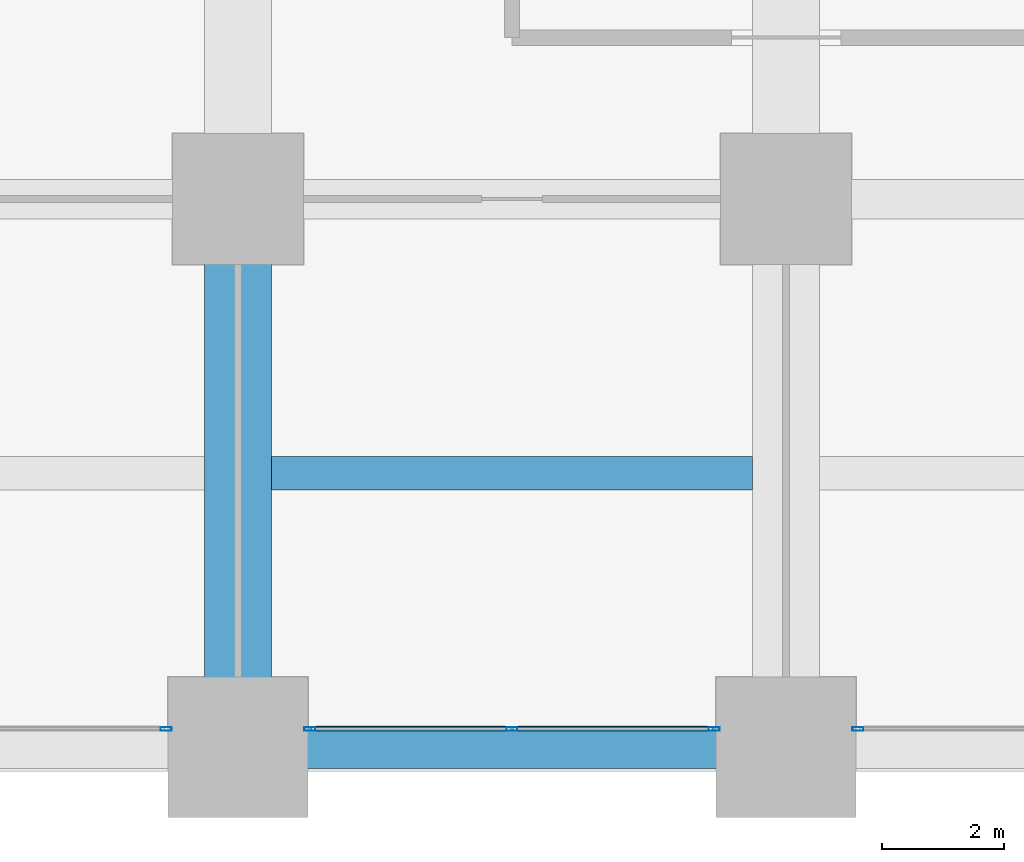
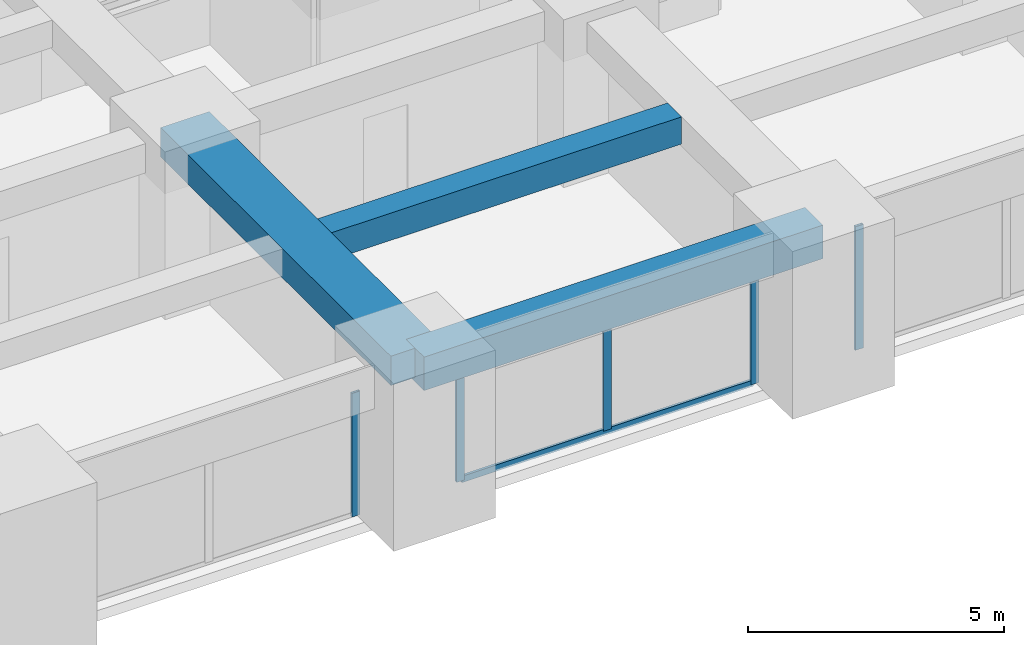
# One storey, part 6 of 44: 6 members, 3 beams, 3 elements without a shape of their own.
"""IFC4 building model written with IfcOpenShell, lengths in metres."""

from ifc_helpers import new_model, si_unit, direction, frame, origin, origin_2d, place, context, subcontext, project, spatial, rectangle, hollow_rectangle, extrude, material, material_profile, profile_set, type_object, element, aggregate, save


model = new_model("IFC4")

# Units and contexts
model_context = context("Model", 3, precision=1e-05, world=origin(), true_north=direction((0.0, 1.0)))
body_context = subcontext(model_context, "Body", "Model", "MODEL_VIEW")
ifc_project = project(units=[si_unit("LENGTHUNIT", "METRE"), si_unit("AREAUNIT", "SQUARE_METRE"), si_unit("VOLUMEUNIT", "CUBIC_METRE"), si_unit("PLANEANGLEUNIT", "RADIAN"), si_unit("MASSUNIT", "GRAM", prefix="KILO")], contexts=[model_context])

# Site, building, storey
site_placement = place(None, origin())
site = spatial("IfcSite", under=ifc_project, at=site_placement, CompositionType="ELEMENT")
building_placement = place(site_placement, origin())
building = spatial("IfcBuilding", under=site, at=building_placement, Name="Zorevar Civic Tower", CompositionType="ELEMENT")
storey_placement = place(building_placement, frame((0.0, 0.0, 55.800048828125)))
storey = spatial("IfcBuildingStorey", under=building, at=storey_placement, Name="L13", CompositionType="ELEMENT", Elevation=55.800048828125)

# Beams
ifc_material_1 = material(Name="Concrete C50/60", Category="concrete")
ifc_material_profile_1 = material_profile(ifc_material_1, rectangle(XDim=1.10009765625, YDim=0.699951171875, at=origin_2d()), Name="RC 1100x700")
ifc_profile_set_1 = profile_set([ifc_material_profile_1], Name="Concrete C50/60")
beam_type_1 = type_object("IfcBeamType", Name="Beam RC 1100x700", PredefinedType="BEAM", material=ifc_profile_set_1)
beam_1_placement = place(storey_placement, frame((18.0, 0.0, 3.39990234375), z_axis=(0.0, 1.0, 0.0), x_axis=(-1.0, 0.0, 0.0)))
element("IfcBeam", 1, at=beam_1_placement, inside=storey, type_object=beam_type_1, Name="Girder L14", PredefinedType="BEAM", context=body_context, shape_type="SweptSolid", body=[
    extrude(rectangle(XDim=1.10009765625, YDim=0.699951171875, at=origin_2d()), origin(), (0.0, 0.0, 1.0), 9.0),
])
ifc_material_2 = material(Name="Concrete C50/60", Category="concrete")
ifc_material_profile_2 = material_profile(ifc_material_2, rectangle(XDim=0.550048828125, YDim=0.64990234375, at=origin_2d()), Name="RC 550x650")
ifc_profile_set_2 = profile_set([ifc_material_profile_2], Name="Concrete C50/60")
beam_type_2 = type_object("IfcBeamType", Name="Beam RC 550x650", PredefinedType="BEAM", material=ifc_profile_set_2)
beam_2_placement = place(storey_placement, frame((18.550048828125, 4.5, 3.425048828125), z_axis=(1.0, 0.0, 0.0), x_axis=(0.0, 1.0, 0.0)))
element("IfcBeam", 2, at=beam_2_placement, inside=storey, type_object=beam_type_2, Name="Secondary beam L14", PredefinedType="BEAM", context=body_context, shape_type="SweptSolid", body=[
    extrude(rectangle(XDim=0.550048828125, YDim=0.64990234375, at=origin_2d()), origin(), (0.0, 0.0, 1.0), 7.89990234375),
])

# Curtain wall, member
ifc_material_3 = material(Name="Dark grey solar-control glass in black aluminium frame", Category="aluminium")
curtain_wall_type = type_object("IfcCurtainWallType", Name="Curtain wall CW2 low zone", PredefinedType="NOTDEFINED", material=ifc_material_3)
curtain_wall_1_placement = place(storey_placement, origin())
curtain_wall_1 = element("IfcCurtainWall", 3, at=curtain_wall_1_placement, inside=storey, type_object=curtain_wall_type, Name="CW2 L13", PredefinedType="NOTDEFINED")
ifc_material_4 = material(Name="Aluminium, black anodised", Category="aluminium")
ifc_material_profile_3 = material_profile(ifc_material_4, hollow_rectangle(XDim=0.06005859375, YDim=0.179931640625, WallThickness=0.00390625, at=origin_2d()), Name="AL 180x60x4")
ifc_profile_set_3 = profile_set([ifc_material_profile_3], Name="Aluminium, black anodised")
member_type_1 = type_object("IfcMemberType", Name="CW2 mullion AL 180x60x4", PredefinedType="MULLION", material=ifc_profile_set_3)
member_1_placement = place(storey_placement, frame((16.820068359375, 0.300048828125, 0.0), z_axis=(0.0, 0.0, 1.0), x_axis=(0.0, 1.0, 0.0)))
member_1 = element("IfcMember", 4, at=member_1_placement, type_object=member_type_1, Name="CW2 mullion 3", PredefinedType="MULLION", context=body_context, shape_type="SweptSolid", body=[
    extrude(hollow_rectangle(XDim=0.06005859375, YDim=0.179931640625, WallThickness=0.00390625, at=origin_2d()), origin(), (0.0, 0.0, 1.0), 2.949951171875),
])
aggregate(curtain_wall_1, [member_1])

# Curtain wall, members
curtain_wall_2_placement = place(storey_placement, origin())
curtain_wall_2 = element("IfcCurtainWall", 5, at=curtain_wall_2_placement, inside=storey, type_object=curtain_wall_type, Name="CW2 L13", PredefinedType="NOTDEFINED")
member_2_placement = place(storey_placement, frame((19.179931640625, 0.300048828125, 0.0), z_axis=(0.0, 0.0, 1.0), x_axis=(0.0, 1.0, 0.0)))
member_2 = element("IfcMember", 6, at=member_2_placement, type_object=member_type_1, Name="CW2 mullion 1", PredefinedType="MULLION", context=body_context, shape_type="SweptSolid", body=[
    extrude(hollow_rectangle(XDim=0.06005859375, YDim=0.179931640625, WallThickness=0.00390625, at=origin_2d()), origin(), (0.0, 0.0, 1.0), 2.949951171875),
])
member_3_placement = place(storey_placement, frame((22.5, 0.300048828125, 0.06005859375), z_axis=(0.0, 0.0, 1.0), x_axis=(0.0, 1.0, 0.0)))
member_3 = element("IfcMember", 7, at=member_3_placement, type_object=member_type_1, Name="CW2 mullion 2", PredefinedType="MULLION", context=body_context, shape_type="SweptSolid", body=[
    extrude(hollow_rectangle(XDim=0.06005859375, YDim=0.179931640625, WallThickness=0.00390625, at=origin_2d()), origin(), (0.0, 0.0, 1.0), 2.889892578125),
])
member_4_placement = place(storey_placement, frame((25.820068359375, 0.300048828125, 0.0), z_axis=(0.0, 0.0, 1.0), x_axis=(0.0, 1.0, 0.0)))
member_4 = element("IfcMember", 8, at=member_4_placement, type_object=member_type_1, Name="CW2 mullion 3", PredefinedType="MULLION", context=body_context, shape_type="SweptSolid", body=[
    extrude(hollow_rectangle(XDim=0.06005859375, YDim=0.179931640625, WallThickness=0.00390625, at=origin_2d()), origin(), (0.0, 0.0, 1.0), 2.949951171875),
])

# Curtain wall, member
curtain_wall_3_placement = place(storey_placement, origin())
curtain_wall_3 = element("IfcCurtainWall", 9, at=curtain_wall_3_placement, inside=storey, type_object=curtain_wall_type, Name="CW2 L13", PredefinedType="NOTDEFINED")
member_5_placement = place(storey_placement, frame((28.179931640625, 0.300048828125, 0.0), z_axis=(0.0, 0.0, 1.0), x_axis=(0.0, 1.0, 0.0)))
member_5 = element("IfcMember", 10, at=member_5_placement, type_object=member_type_1, Name="CW2 mullion 1", PredefinedType="MULLION", context=body_context, shape_type="SweptSolid", body=[
    extrude(hollow_rectangle(XDim=0.06005859375, YDim=0.179931640625, WallThickness=0.00390625, at=origin_2d()), origin(), (0.0, 0.0, 1.0), 2.949951171875),
])
aggregate(curtain_wall_3, [member_5])

# Member
ifc_material_5 = material(Name="Aluminium, black anodised", Category="aluminium")
ifc_material_profile_4 = material_profile(ifc_material_5, hollow_rectangle(XDim=0.06005859375, YDim=0.14990234375, WallThickness=0.00390625, at=origin_2d()), Name="AL 150x60x4")
ifc_profile_set_4 = profile_set([ifc_material_profile_4], Name="Aluminium, black anodised")
member_type_2 = type_object("IfcMemberType", Name="CW2 transom AL 150x60x4", PredefinedType="USERDEFINED", material=ifc_profile_set_4)
member_6_placement = place(storey_placement, frame((19.2099609375, 0.300048828125, 0.030029296875), z_axis=(1.0, 0.0, 0.0), x_axis=(0.0, 1.0, 0.0)))
member_6 = element("IfcMember", 11, at=member_6_placement, type_object=member_type_2, Name="CW2 sill transom", ObjectType="TRANSOM", PredefinedType="USERDEFINED", context=body_context, shape_type="SweptSolid", body=[
    extrude(hollow_rectangle(XDim=0.06005859375, YDim=0.14990234375, WallThickness=0.00390625, at=origin_2d()), origin(), (0.0, 0.0, 1.0), 6.580078125),
])

aggregate(curtain_wall_2, [member_2, member_3, member_4, member_6])

# Beam
ifc_material_6 = material(Name="Concrete C50/60", Category="concrete")
ifc_material_profile_5 = material_profile(ifc_material_6, rectangle(XDim=0.699951171875, YDim=0.800048828125, at=origin_2d()), Name="RC 700x800")
ifc_profile_set_5 = profile_set([ifc_material_profile_5], Name="Concrete C50/60")
beam_type_3 = type_object("IfcBeamType", Name="Edge beam RC 700x800", PredefinedType="SPANDREL", material=ifc_profile_set_5)
beam_3_placement = place(storey_placement, frame((18.0, 0.0, 3.349853515625), z_axis=(1.0, 0.0, 0.0), x_axis=(0.0, 1.0, 0.0)))
element("IfcBeam", 12, at=beam_3_placement, inside=storey, type_object=beam_type_3, Name="Edge beam L14", PredefinedType="SPANDREL", context=body_context, shape_type="SweptSolid", body=[
    extrude(rectangle(XDim=0.699951171875, YDim=0.800048828125, at=origin_2d()), origin(), (0.0, 0.0, 1.0), 9.0),
])

save(model, "model.ifc")
